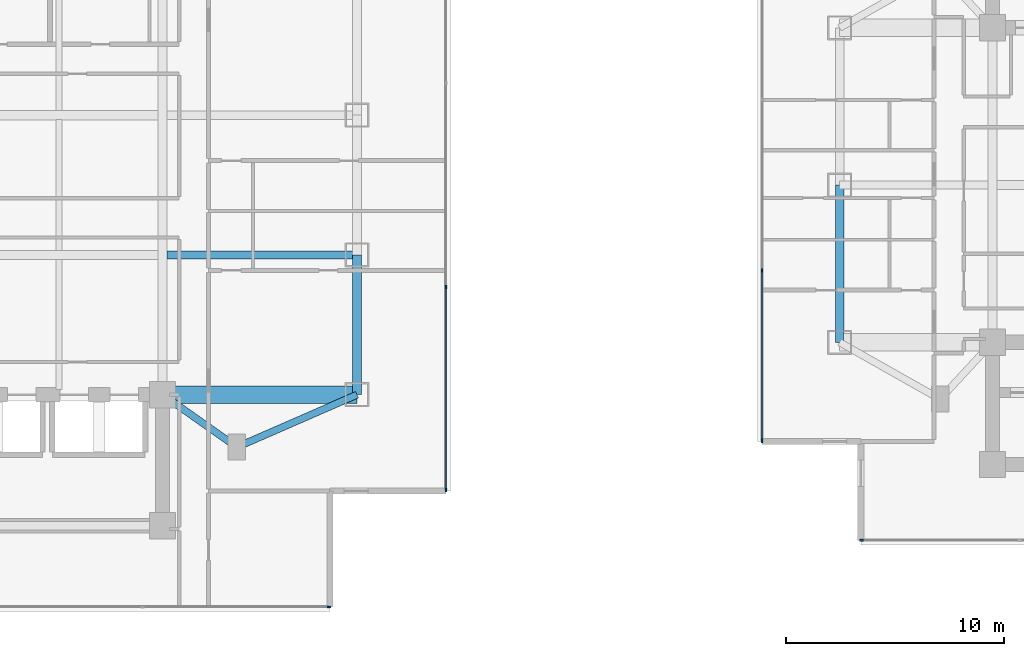
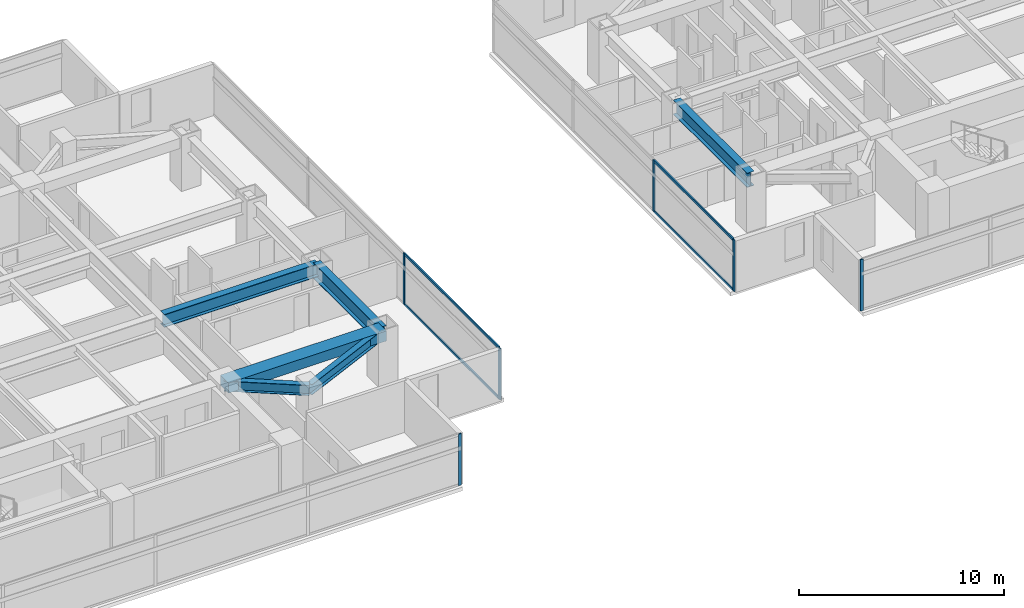
# One storey, part 5 of 26: 10 members, 6 beams, 4 elements without a shape of their own.
"""IFC4 building model written with IfcOpenShell, lengths in metres."""

from ifc_helpers import new_model, si_unit, direction, frame, origin, origin_2d, place, context, subcontext, project, spatial, rectangle, i_section, extrude, material, material_profile, profile_set, type_object, element, aggregate, save


model = new_model("IFC4")

# Units and contexts
model_context = context("Model", 3, precision=1e-05, world=origin(), true_north=direction((0.0, 1.0)))
body_context = subcontext(model_context, "Body", "Model", "MODEL_VIEW")
ifc_project = project(units=[si_unit("LENGTHUNIT", "METRE"), si_unit("AREAUNIT", "SQUARE_METRE"), si_unit("VOLUMEUNIT", "CUBIC_METRE"), si_unit("PLANEANGLEUNIT", "RADIAN"), si_unit("MASSUNIT", "GRAM", prefix="KILO")], contexts=[model_context])

# Site, building, storey
site_placement = place(None, origin())
site = spatial("IfcSite", under=ifc_project, at=site_placement, CompositionType="ELEMENT")
building_placement = place(site_placement, origin())
building = spatial("IfcBuilding", under=site, at=building_placement, Name="Mirazonda Arch Towers", CompositionType="ELEMENT")
storey_placement = place(building_placement, frame((0.0, 0.0, 114.800048828125)))
storey = spatial("IfcBuildingStorey", under=building, at=storey_placement, Name="L32", CompositionType="ELEMENT", Elevation=114.800048828125)

# Beams
ifc_material_1 = material(Name="Steel ASTM A992 Grade 50", Category="steel")
ifc_material_profile_1 = material_profile(ifc_material_1, i_section(OverallWidth=0.39990234375, OverallDepth=0.85595703125, WebThickness=0.018310546875, FlangeThickness=0.029296875, at=origin_2d()), Name="W33X201")
ifc_profile_set_1 = profile_set([ifc_material_profile_1], Name="Steel ASTM A992 Grade 50")
beam_type_1 = type_object("IfcBeamType", Name="BM-EXT-W33X201", PredefinedType="USERDEFINED", material=ifc_profile_set_1)
beam_1_placement = place(storey_placement, frame((61.0, 20.800048828125, 2.65185546875), z_axis=(0.0, 1.0, 0.0), x_axis=(-1.0, 0.0, 0.0)))
element("IfcBeam", 1, at=beam_1_placement, inside=storey, type_object=beam_type_1, Name="L32 Floor Beam BM-T2-L32-NS-W-20", ObjectType="GIRDER", PredefinedType="USERDEFINED", context=body_context, shape_type="SweptSolid", body=[
    extrude(i_section(OverallWidth=0.39990234375, OverallDepth=0.85595703125, WebThickness=0.018310546875, FlangeThickness=0.029296875, at=origin_2d()), origin(), (0.0, 0.0, 1.0), 7.199951171875),
])
ifc_material_profile_2 = material_profile(ifc_material_1, i_section(OverallWidth=0.41796875, OverallDepth=0.927001953125, WebThickness=0.019287109375, FlangeThickness=0.031982421875, at=origin_2d()), Name="W36X231")
ifc_profile_set_2 = profile_set([ifc_material_profile_2], Name="Steel ASTM A992 Grade 50")
beam_type_2 = type_object("IfcBeamType", Name="BM-EXT-W36X231", PredefinedType="USERDEFINED", material=ifc_profile_set_2)
beam_2_placement = place(storey_placement, frame((38.89990234375, 18.39990234375, 2.616455078125), z_axis=(0.0, 1.0, 0.0), x_axis=(-1.0, 0.0, 0.0)))
element("IfcBeam", 2, at=beam_2_placement, inside=storey, type_object=beam_type_2, Name="L32 Floor Beam BM-T1-L32-NS-E-18", ObjectType="GIRDER", PredefinedType="USERDEFINED", context=body_context, shape_type="SweptSolid", body=[
    extrude(i_section(OverallWidth=0.41796875, OverallDepth=0.927001953125, WebThickness=0.019287109375, FlangeThickness=0.031982421875, at=origin_2d()), origin(), (0.0, 0.0, 1.0), 6.400146484375),
])
ifc_material_profile_3 = material_profile(ifc_material_1, i_section(OverallWidth=0.324951171875, OverallDepth=0.615966796875, WebThickness=0.013916015625, FlangeThickness=0.021484375, at=origin_2d()), Name="W24X117")
ifc_profile_set_3 = profile_set([ifc_material_profile_3], Name="Steel ASTM A992 Grade 50")
beam_type_3 = type_object("IfcBeamType", Name="BM-INT-W24X117", PredefinedType="BEAM", material=ifc_profile_set_3)
beam_3_placement = place(storey_placement, frame((33.39990234375, 16.0, 2.77197265625), z_axis=(-0.816971114901, 0.576678591087, 0.0), x_axis=(-0.576678591087, -0.816971114901, 0.0)))
element("IfcBeam", 3, at=beam_3_placement, inside=storey, type_object=beam_type_3, Name="L32 Floor Beam BM-T1-L32-PL-SE1", PredefinedType="BEAM", context=body_context, shape_type="SweptSolid", body=[
    extrude(i_section(OverallWidth=0.324951171875, OverallDepth=0.615966796875, WebThickness=0.013916015625, FlangeThickness=0.021484375, at=origin_2d()), origin(), (0.0, 0.0, 1.0), 4.16162109375),
])
beam_4_placement = place(storey_placement, frame((33.39990234375, 16.0, 2.77197265625), z_axis=(0.916545343703, 0.399930785183, 0.0), x_axis=(-0.399930785183, 0.916545343703, 0.0)))
element("IfcBeam", 4, at=beam_4_placement, inside=storey, type_object=beam_type_3, Name="L32 Floor Beam BM-T1-L32-PL-SE2", PredefinedType="BEAM", context=body_context, shape_type="SweptSolid", body=[
    extrude(i_section(OverallWidth=0.324951171875, OverallDepth=0.615966796875, WebThickness=0.013916015625, FlangeThickness=0.021484375, at=origin_2d()), origin(), (0.0, 0.0, 1.0), 6.000732421875),
])
ifc_material_profile_4 = material_profile(ifc_material_1, i_section(OverallWidth=0.381103515625, OverallDepth=0.77294921875, WebThickness=0.0166015625, FlangeThickness=0.027099609375, at=origin_2d()), Name="W30X173")
ifc_profile_set_4 = profile_set([ifc_material_profile_4], Name="Steel ASTM A992 Grade 50")
beam_type_4 = type_object("IfcBeamType", Name="BM-INT-W30X173", PredefinedType="USERDEFINED", material=ifc_profile_set_4)
beam_5_placement = place(storey_placement, frame((30.21142578125, 24.800048828125, 2.693359375), z_axis=(1.0, 0.0, 0.0), x_axis=(0.0, 1.0, 0.0)))
element("IfcBeam", 5, at=beam_5_placement, inside=storey, type_object=beam_type_4, Name="L32 Floor Beam BM-T1-L32-GE2", ObjectType="GIRDER", PredefinedType="USERDEFINED", context=body_context, shape_type="SweptSolid", body=[
    extrude(i_section(OverallWidth=0.381103515625, OverallDepth=0.77294921875, WebThickness=0.0166015625, FlangeThickness=0.027099609375, at=origin_2d()), origin(), (0.0, 0.0, 1.0), 8.6884765625),
])
ifc_material_2 = material(Name="Concrete C60/75", Category="concrete")
ifc_material_profile_5 = material_profile(ifc_material_2, rectangle(XDim=0.800048828125, YDim=0.60009765625, at=origin_2d()), Name="RCCB800x600")
ifc_profile_set_5 = profile_set([ifc_material_profile_5], Name="Concrete C60/75")
beam_type_5 = type_object("IfcBeamType", Name="CB-INT-RCCB800x600", PredefinedType="SPANDREL", material=ifc_profile_set_5)
beam_6_placement = place(storey_placement, frame((30.0, 18.39990234375, 2.780029296875), z_axis=(1.0, 0.0, 0.0), x_axis=(0.0, 1.0, 0.0)))
element("IfcBeam", 6, at=beam_6_placement, inside=storey, type_object=beam_type_5, Name="L32 Floor Beam CBC-T1-L32-SE", PredefinedType="SPANDREL", context=body_context, shape_type="SweptSolid", body=[
    extrude(rectangle(XDim=0.800048828125, YDim=0.60009765625, at=origin_2d()), origin(), (0.0, 0.0, 1.0), 8.89990234375),
])

# Curtain wall, member
ifc_material_3 = material(Name="Anodised Aluminium and Low-E Glass", Category="aluminium")
curtain_wall_type = type_object("IfcCurtainWallType", Name="CW-HTL-UNIT", PredefinedType="NOTDEFINED", material=ifc_material_3)
curtain_wall_1_placement = place(storey_placement, origin())
curtain_wall_1 = element("IfcCurtainWall", 7, at=curtain_wall_1_placement, inside=storey, type_object=curtain_wall_type, Name="L32 T1 S Facade CW-L32-T1-S", PredefinedType="NOTDEFINED")
ifc_material_4 = material(Name="Anodised Aluminium Alloy", Category="aluminium")
ifc_material_profile_6 = material_profile(ifc_material_4, rectangle(XDim=0.074951171875, YDim=0.1650390625, at=origin_2d()), Name="ALU-MULL-75x165")
ifc_profile_set_6 = profile_set([ifc_material_profile_6], Name="Anodised Aluminium Alloy")
member_type_1 = type_object("IfcMemberType", Name="MULL-CW-HTL-UNIT", PredefinedType="MULLION", material=ifc_profile_set_6)
member_1_placement = place(storey_placement, frame((37.62744140625, 8.68603515625, 0.0), z_axis=(0.0, 0.0, 1.0), x_axis=(0.0, -1.0, 0.0)))
member_1 = element("IfcMember", 8, at=member_1_placement, type_object=member_type_1, Name="CW-112 mullion 1", PredefinedType="MULLION", context=body_context, shape_type="SweptSolid", body=[
    extrude(rectangle(XDim=0.074951171875, YDim=0.1650390625, at=origin_2d()), origin(), (0.0, 0.0, 1.0), 3.06005859375),
])
aggregate(curtain_wall_1, [member_1])

# Curtain wall, members
curtain_wall_2_placement = place(storey_placement, origin())
curtain_wall_2 = element("IfcCurtainWall", 9, at=curtain_wall_2_placement, inside=storey, type_object=curtain_wall_type, Name="L32 T1 E Facade CW-L32-T1-E", PredefinedType="NOTDEFINED")
member_2_placement = place(storey_placement, frame((42.969970703125, 14.028564453125, 0.0), z_axis=(0.0, 0.0, 1.0), x_axis=(-1.0, 0.0, 0.0)))
member_2 = element("IfcMember", 10, at=member_2_placement, type_object=member_type_1, Name="CW-112 mullion 1", PredefinedType="MULLION", context=body_context, shape_type="SweptSolid", body=[
    extrude(rectangle(XDim=0.074951171875, YDim=0.1650390625, at=origin_2d()), origin(), (0.0, 0.0, 1.0), 3.06005859375),
])
member_3_placement = place(storey_placement, frame((42.969970703125, 23.330322265625, 0.0), z_axis=(0.0, 0.0, 1.0), x_axis=(-1.0, 0.0, 0.0)))
member_3 = element("IfcMember", 11, at=member_3_placement, type_object=member_type_1, Name="CW-112 mullion 2", PredefinedType="MULLION", context=body_context, shape_type="SweptSolid", body=[
    extrude(rectangle(XDim=0.074951171875, YDim=0.1650390625, at=origin_2d()), origin(), (0.0, 0.0, 1.0), 3.06005859375),
])

# Curtain wall, member
curtain_wall_3_placement = place(storey_placement, origin())
curtain_wall_3 = element("IfcCurtainWall", 12, at=curtain_wall_3_placement, inside=storey, type_object=curtain_wall_type, Name="L32 T2 S Facade CW-L32-T2-S", PredefinedType="NOTDEFINED")
member_4_placement = place(storey_placement, frame((62.00732421875, 11.736083984375, 0.0), z_axis=(0.0, 0.0, 1.0), x_axis=(0.0, -1.0, 0.0)))
member_4 = element("IfcMember", 13, at=member_4_placement, type_object=member_type_1, Name="CW-112 mullion 5", PredefinedType="MULLION", context=body_context, shape_type="SweptSolid", body=[
    extrude(rectangle(XDim=0.074951171875, YDim=0.1650390625, at=origin_2d()), origin(), (0.0, 0.0, 1.0), 3.06005859375),
])
aggregate(curtain_wall_3, [member_4])

# Curtain wall, members
curtain_wall_4_placement = place(storey_placement, origin())
curtain_wall_4 = element("IfcCurtainWall", 14, at=curtain_wall_4_placement, inside=storey, type_object=curtain_wall_type, Name="L32 T2 W Facade CW-L32-T2-W", PredefinedType="NOTDEFINED")
member_5_placement = place(storey_placement, frame((57.45361328125, 24.084228515625, 0.0), z_axis=(0.0, 0.0, 1.0), x_axis=(1.0, 0.0, 0.0)))
member_5 = element("IfcMember", 15, at=member_5_placement, type_object=member_type_1, Name="CW-112 mullion 3", PredefinedType="MULLION", context=body_context, shape_type="SweptSolid", body=[
    extrude(rectangle(XDim=0.074951171875, YDim=0.1650390625, at=origin_2d()), origin(), (0.0, 0.0, 1.0), 3.06005859375),
])
member_6_placement = place(storey_placement, frame((57.45361328125, 16.289794921875, 0.0), z_axis=(0.0, 0.0, 1.0), x_axis=(1.0, 0.0, 0.0)))
member_6 = element("IfcMember", 16, at=member_6_placement, type_object=member_type_1, Name="CW-112 mullion 4", PredefinedType="MULLION", context=body_context, shape_type="SweptSolid", body=[
    extrude(rectangle(XDim=0.074951171875, YDim=0.1650390625, at=origin_2d()), origin(), (0.0, 0.0, 1.0), 3.06005859375),
])

# Member
ifc_material_profile_7 = material_profile(ifc_material_4, rectangle(XDim=0.074951171875, YDim=0.14501953125, at=origin_2d()), Name="ALU-TRAN-75x145")
ifc_profile_set_7 = profile_set([ifc_material_profile_7], Name="Anodised Aluminium Alloy")
member_type_2 = type_object("IfcMemberType", Name="TRAN-CW-HTL-UNIT", PredefinedType="USERDEFINED", material=ifc_profile_set_7)
member_7_placement = place(storey_placement, frame((42.969970703125, 14.06591796875, 0.037353515625), z_axis=(0.0, 1.0, 0.0), x_axis=(-1.0, 0.0, 0.0)))
member_7 = element("IfcMember", 17, at=member_7_placement, type_object=member_type_2, Name="CW-112 transom 1.1", ObjectType="TRANSOM", PredefinedType="USERDEFINED", context=body_context, shape_type="SweptSolid", body=[
    extrude(rectangle(XDim=0.074951171875, YDim=0.14501953125, at=origin_2d()), origin(), (0.0, 0.0, 1.0), 9.226806640625),
])

member_8_placement = place(storey_placement, frame((42.969970703125, 14.06591796875, 3.0224609375), z_axis=(0.0, 1.0, 0.0), x_axis=(-1.0, 0.0, 0.0)))
member_8 = element("IfcMember", 18, at=member_8_placement, type_object=member_type_2, Name="CW-112 transom 1.2", ObjectType="TRANSOM", PredefinedType="USERDEFINED", context=body_context, shape_type="SweptSolid", body=[
    extrude(rectangle(XDim=0.074951171875, YDim=0.14501953125, at=origin_2d()), origin(), (0.0, 0.0, 1.0), 9.226806640625),
])

aggregate(curtain_wall_2, [member_2, member_3, member_7, member_8])

member_9_placement = place(storey_placement, frame((57.45361328125, 24.046630859375, 0.037353515625), z_axis=(0.0, -1.0, 0.0), x_axis=(1.0, 0.0, 0.0)))
member_9 = element("IfcMember", 19, at=member_9_placement, type_object=member_type_2, Name="CW-112 transom 3.1", ObjectType="TRANSOM", PredefinedType="USERDEFINED", context=body_context, shape_type="SweptSolid", body=[
    extrude(rectangle(XDim=0.074951171875, YDim=0.14501953125, at=origin_2d()), origin(), (0.0, 0.0, 1.0), 7.71923828125),
])

member_10_placement = place(storey_placement, frame((57.45361328125, 24.046630859375, 3.0224609375), z_axis=(0.0, -1.0, 0.0), x_axis=(1.0, 0.0, 0.0)))
member_10 = element("IfcMember", 20, at=member_10_placement, type_object=member_type_2, Name="CW-112 transom 3.2", ObjectType="TRANSOM", PredefinedType="USERDEFINED", context=body_context, shape_type="SweptSolid", body=[
    extrude(rectangle(XDim=0.074951171875, YDim=0.14501953125, at=origin_2d()), origin(), (0.0, 0.0, 1.0), 7.71923828125),
])

aggregate(curtain_wall_4, [member_5, member_6, member_9, member_10])

save(model, "model.ifc")
